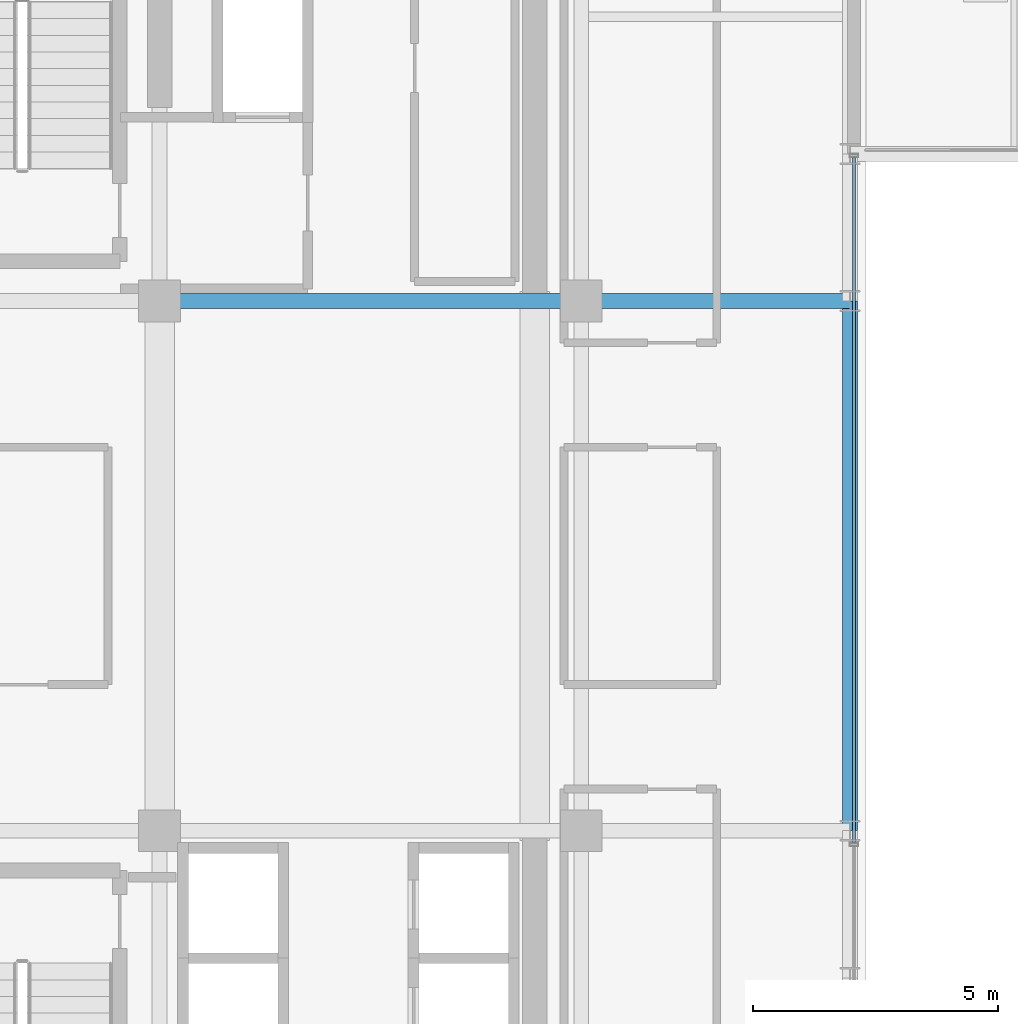
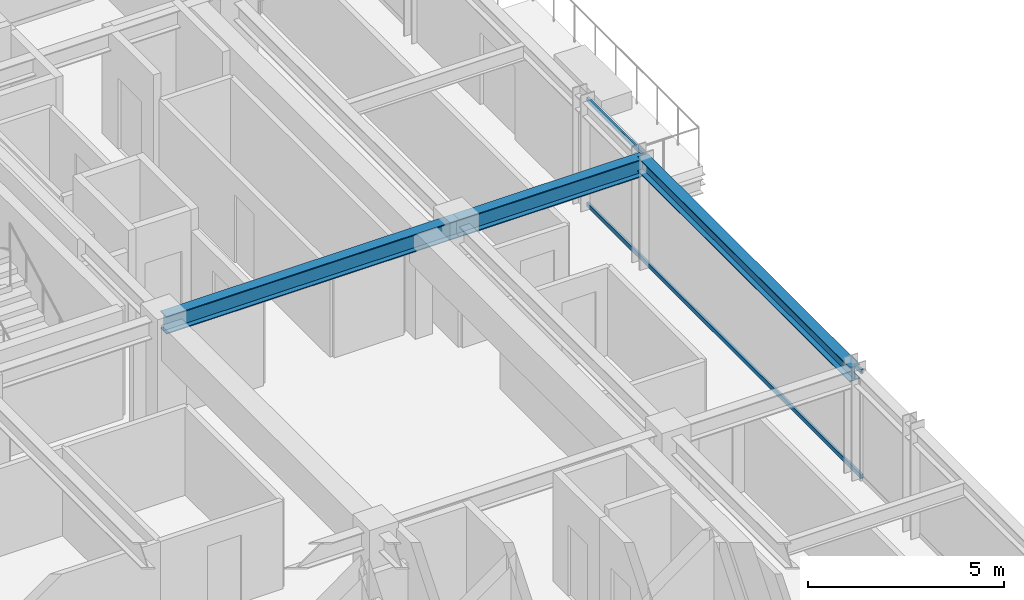
# One storey, part 12 of 31: 3 beams, 2 members, 1 element without a shape of its own.
"""IFC4 building model written with IfcOpenShell, lengths in metres."""

from ifc_helpers import new_model, si_unit, direction, frame, origin, origin_2d, place, context, subcontext, project, spatial, hollow_rectangle, i_section, extrude, source, transform, mapped, material, material_profile, profile_set, type_object, element, aggregate, save


model = new_model("IFC4")

# Units and contexts
model_context = context("Model", 3, precision=1e-05, world=origin(), true_north=direction((0.0, 1.0)))
body_context = subcontext(model_context, "Body", "Model", "MODEL_VIEW")
ifc_project = project(units=[si_unit("LENGTHUNIT", "METRE"), si_unit("AREAUNIT", "SQUARE_METRE"), si_unit("VOLUMEUNIT", "CUBIC_METRE"), si_unit("PLANEANGLEUNIT", "RADIAN"), si_unit("MASSUNIT", "GRAM", prefix="KILO")], contexts=[model_context])

# Site, building, storey
site_placement = place(None, origin())
site = spatial("IfcSite", under=ifc_project, at=site_placement, CompositionType="ELEMENT")
building_placement = place(site_placement, origin())
building = spatial("IfcBuilding", under=site, at=building_placement, Name="Nahalor Promenade Grand Hotel", CompositionType="ELEMENT")
storey_placement = place(building_placement, frame((0.0, 0.0, 192.800048828125)))
storey = spatial("IfcBuildingStorey", under=building, at=storey_placement, Name="L49", CompositionType="ELEMENT", Elevation=192.800048828125)

# Beams
ifc_material_1 = material(Name="Steel S355JR", Category="steel")
ifc_material_profile_1 = material_profile(ifc_material_1, i_section(OverallWidth=0.3, OverallDepth=0.55, WebThickness=0.015, FlangeThickness=0.029, at=origin_2d()), Name="HEB 550")
ifc_profile_set_1 = profile_set([ifc_material_profile_1], Name="Steel S355JR")
beam_type_1 = type_object("IfcBeamType", Name="Beam-Girder-HEB550", PredefinedType="BEAM", material=ifc_profile_set_1)
shared_shape_1 = source(origin(), body_context, "Body", "SweptSolid", [
    extrude(i_section(OverallWidth=0.3, OverallDepth=0.55, WebThickness=0.015, FlangeThickness=0.029, at=origin_2d()), origin(), (0.0, 0.0, 1.0), 8.60009765625),
])
beam_1_placement = place(storey_placement, frame((8.39990234375, 5.39990234375, 3.114990234375), z_axis=(1.0, 0.0, 0.0), x_axis=(0.0, 1.0, 0.0)))
element("IfcBeam", 1, at=beam_1_placement, inside=storey, type_object=beam_type_1, Name="BM-L49-GX-2-5", PredefinedType="BEAM", context=body_context, shape_type="MappedRepresentation", body=[
    mapped(shared_shape_1, transform((0.0, 0.0, 0.0), scale=1.0)),
])
shared_shape_2 = source(origin(), body_context, "Body", "SweptSolid", [
    extrude(i_section(OverallWidth=0.3, OverallDepth=0.55, WebThickness=0.015, FlangeThickness=0.029, at=origin_2d()), origin(), (0.0, 0.0, 1.0), 5.47998046875),
])
beam_2_placement = place(storey_placement, frame((17.0, 5.39990234375, 3.114990234375), z_axis=(1.0, 0.0, 0.0), x_axis=(0.0, 1.0, 0.0)))
element("IfcBeam", 2, at=beam_2_placement, inside=storey, type_object=beam_type_1, Name="BM-L49-GX-2-6", PredefinedType="BEAM", context=body_context, shape_type="MappedRepresentation", body=[
    mapped(shared_shape_2, transform((0.0, 0.0, 0.0), scale=1.0)),
])
ifc_material_profile_2 = material_profile(ifc_material_1, i_section(OverallWidth=0.3, OverallDepth=0.45, WebThickness=0.014, FlangeThickness=0.026, at=origin_2d()), Name="HEB 450")
ifc_profile_set_2 = profile_set([ifc_material_profile_2], Name="Steel S355JR")
beam_type_2 = type_object("IfcBeamType", Name="Beam-Spandrel-HEB450", PredefinedType="SPANDREL", material=ifc_profile_set_2)
shared_shape_3 = source(origin(), body_context, "Body", "SweptSolid", [
    extrude(i_section(OverallWidth=0.3, OverallDepth=0.45, WebThickness=0.014, FlangeThickness=0.026, at=origin_2d()), origin(), (0.0, 0.0, 1.0), 10.7998046875),
])
beam_3_placement = place(storey_placement, frame((22.47998046875, -5.39990234375, 3.1650390625), z_axis=(0.0, 1.0, 0.0), x_axis=(-1.0, 0.0, 0.0)))
element("IfcBeam", 3, at=beam_3_placement, inside=storey, type_object=beam_type_2, Name="BM-L49-SP-E-2", PredefinedType="SPANDREL", context=body_context, shape_type="MappedRepresentation", body=[
    mapped(shared_shape_3, transform((0.0, 0.0, 0.0), scale=1.0)),
])

# Curtain wall, members
ifc_material_2 = material(Name="Anodised Bronze Aluminium EN AW-6063 T6", Category="aluminium")
curtain_wall_type = type_object("IfcCurtainWallType", Name="CW2 Typical Hotel Flush Bronze Unitised Curtain Wall", PredefinedType="USERDEFINED", material=ifc_material_2)
curtain_wall_placement = place(storey_placement, origin())
curtain_wall = element("IfcCurtainWall", 4, at=curtain_wall_placement, inside=storey, type_object=curtain_wall_type, Name="L49 Curtain Wall CW-L49-E-1", ObjectType="UNITISED_CURTAIN_WALL", PredefinedType="USERDEFINED")
ifc_material_profile_3 = material_profile(ifc_material_2, hollow_rectangle(XDim=0.065, YDim=0.13, WallThickness=0.004, at=origin_2d()), Name="CWT 65x130x4")
ifc_profile_set_3 = profile_set([ifc_material_profile_3], Name="Anodised Bronze Aluminium EN AW-6063 T6")
member_type = type_object("IfcMemberType", Name="CWT2 Typical Bronze Transom 65x130", PredefinedType="USERDEFINED", material=ifc_profile_set_3)
shared_shape_4 = source(origin(), body_context, "Body", "SweptSolid", [
    extrude(hollow_rectangle(XDim=0.065, YDim=0.13, WallThickness=0.004, at=origin_2d()), origin(), (0.0, 0.0, 1.0), 13.982421875),
])
member_1_placement = place(storey_placement, frame((22.56005859375, -5.6474609375, 0.06494140625), z_axis=(0.0, 1.0, 0.0), x_axis=(-1.0, 0.0, 0.0)))
member_1 = element("IfcMember", 5, at=member_1_placement, type_object=member_type, Name="CW-L49-E-1 Transom 1-0", ObjectType="TRANSOM", PredefinedType="USERDEFINED", context=body_context, shape_type="MappedRepresentation", body=[
    mapped(shared_shape_4, transform((0.0, 0.0, 0.0), scale=1.0)),
])
member_2_placement = place(storey_placement, frame((22.56005859375, -5.6474609375, 3.324951171875), z_axis=(0.0, 1.0, 0.0), x_axis=(-1.0, 0.0, 0.0)))
member_2 = element("IfcMember", 6, at=member_2_placement, type_object=member_type, Name="CW-L49-E-1 Transom 1-1", ObjectType="TRANSOM", PredefinedType="USERDEFINED", context=body_context, shape_type="MappedRepresentation", body=[
    mapped(shared_shape_4, transform((0.0, 0.0, 0.0), scale=1.0)),
])
aggregate(curtain_wall, [member_1, member_2])

save(model, "model.ifc")
